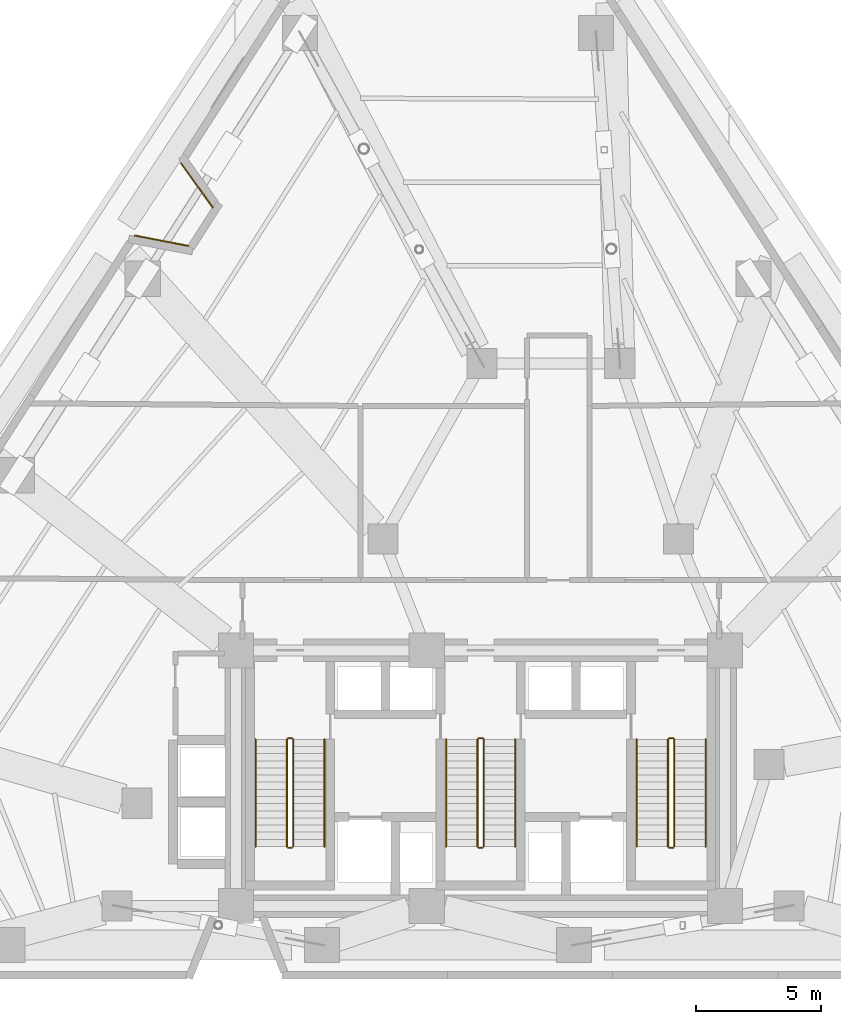
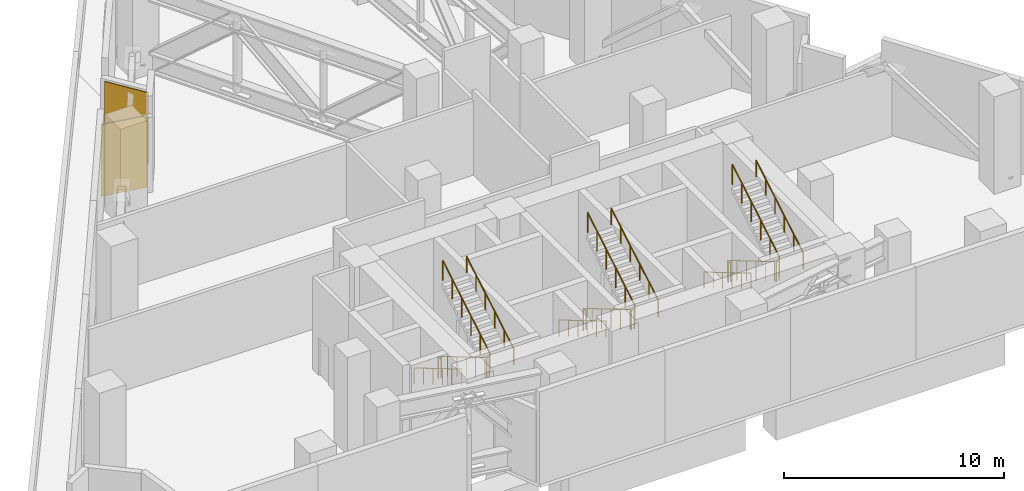
# One storey, part 11 of 12: 18 railings, 2 coverings.
"""IFC4 building model written with IfcOpenShell, lengths in metres."""

from ifc_helpers import new_model, si_unit, direction, frame, origin, origin_2d, place, context, subcontext, project, spatial, rectangle, circle, extrude, material, layer, layer_set, type_object, element, save


model = new_model("IFC4")

# Units and contexts
model_context = context("Model", 3, precision=1e-05, world=origin(), true_north=direction((0.0, 1.0)))
body_context = subcontext(model_context, "Body", "Model", "MODEL_VIEW")
ifc_project = project(units=[si_unit("LENGTHUNIT", "METRE"), si_unit("AREAUNIT", "SQUARE_METRE"), si_unit("VOLUMEUNIT", "CUBIC_METRE"), si_unit("PLANEANGLEUNIT", "RADIAN"), si_unit("MASSUNIT", "GRAM", prefix="KILO")], contexts=[model_context])

# Site, building, storey
site_placement = place(None, origin())
site = spatial("IfcSite", under=ifc_project, at=site_placement, CompositionType="ELEMENT")
building_placement = place(site_placement, origin())
building = spatial("IfcBuilding", under=site, at=building_placement, Name="Almagre Mirador Tower", CompositionType="ELEMENT")
storey_placement = place(building_placement, frame((0.0, 0.0, 26.39990234375)))
storey = spatial("IfcBuildingStorey", under=building, at=storey_placement, Name="L05", CompositionType="ELEMENT", Elevation=26.39990234375)

# Coverings
ifc_material_1 = material(Name="Almagre terracotta architectural cladding", Category="masonry")
ifc_layer = layer(ifc_material_1, 0.044921875)
ifc_layer_set = layer_set([ifc_layer], Name="Almagre terracotta architectural cladding")
covering_type = type_object("IfcCoveringType", Name="COV-CLAD-ALMAGRE", PredefinedType="CLADDING", material=ifc_layer_set)
for number, where, z_axis, x_axis, name in (
    (1, (24.56982421875, 31.08837890625, 0.10009765625), (0.0, 0.0, 1.0), (0.981760154029, -0.190123643878, 0.0), "L05 almagre terracotta pier cladding"),
    (2, (25.9853515625, 33.29833984375, 0.10009765625), (0.0, 0.0, 1.0), (-0.583002488864, 0.812470367446, 0.0), "L05 almagre terracotta pier cladding"),
):
    element("IfcCovering", number, at=place(storey_placement, frame(where, z_axis=z_axis, x_axis=x_axis)), inside=storey, type_object=covering_type, Name=name, PredefinedType="CLADDING", context=body_context, shape_type="SweptSolid", body=[
        extrude(rectangle(XDim=2.194091796875, YDim=0.044921875, at=origin_2d()), origin(), (0.0, 0.0, 1.0), 3.97509765625),
    ])

# Railings
ifc_material_2 = material(Name="Painted galvanized steel", Category="steel")
railing_type_1 = type_object("IfcRailingType", Name="RLG-GRD-1100", PredefinedType="GUARDRAIL", material=ifc_material_2)
railing_1_placement = place(storey_placement, frame((29.574951171875, 11.199951171875, 0.1689453125)))
element("IfcRailing", 3, at=railing_1_placement, inside=storey, type_object=railing_type_1, Name="L05 ST-1 stair guard 1", PredefinedType="GUARDRAIL", context=body_context, shape_type="SweptSolid", body=[
    extrude(circle(Radius=0.02392578125, at=origin_2d()), frame((0.0, 0.0, 1.09619140625), z_axis=(0.0, -0.860470286479, 0.509500624227), x_axis=(1.0, 0.0, 0.0)), (0.0, 0.0, 1.0), 4.968017578125),
    extrude(circle(Radius=0.02099609375, at=origin_2d()), origin(), (0.0, 0.0, 1.0), 1.072021484375),
    extrude(circle(Radius=0.02099609375, at=origin_2d()), frame((0.0, -0.85498046875, 0.50634765625)), (0.0, 0.0, 1.0), 1.072021484375),
    extrude(circle(Radius=0.02099609375, at=origin_2d()), frame((0.0, -1.7099609375, 1.012451171875)), (0.0, 0.0, 1.0), 1.072021484375),
    extrude(circle(Radius=0.02099609375, at=origin_2d()), frame((0.0, -2.56494140625, 1.518798828125)), (0.0, 0.0, 1.0), 1.072021484375),
    extrude(circle(Radius=0.02099609375, at=origin_2d()), frame((0.0, -3.419921875, 2.02490234375)), (0.0, 0.0, 1.0), 1.072021484375),
    extrude(circle(Radius=0.02099609375, at=origin_2d()), frame((0.0, -4.27490234375, 2.53125)), (0.0, 0.0, 1.0), 1.072021484375),
])
railing_2_placement = place(storey_placement, frame((29.625, 6.875, 2.7001953125)))
element("IfcRailing", 4, at=railing_2_placement, inside=storey, type_object=railing_type_1, Name="L05 ST-1 stair guard 2", PredefinedType="GUARDRAIL", context=body_context, shape_type="SweptSolid", body=[
    extrude(circle(Radius=0.02392578125, at=origin_2d()), frame((0.0, 0.0, 1.09619140625), z_axis=(1.0, 0.0, 0.0), x_axis=(0.0, 1.0, 0.0)), (0.0, 0.0, 1.0), 0.14990234375),
    extrude(circle(Radius=0.02099609375, at=origin_2d()), origin(), (0.0, 0.0, 1.0), 1.072021484375),
    extrude(circle(Radius=0.02099609375, at=origin_2d()), frame((0.14990234375, 0.0, 0.0)), (0.0, 0.0, 1.0), 1.072021484375),
])
railing_3_placement = place(storey_placement, frame((29.824951171875, 6.925048828125, 2.868896484375)))
element("IfcRailing", 5, at=railing_3_placement, inside=storey, type_object=railing_type_1, Name="L05 ST-1 stair guard 3", PredefinedType="GUARDRAIL", context=body_context, shape_type="SweptSolid", body=[
    extrude(circle(Radius=0.02392578125, at=origin_2d()), frame((0.0, 0.0, 1.09619140625), z_axis=(0.0, 0.860470286479, 0.509500624227), x_axis=(-1.0, 0.0, 0.0)), (0.0, 0.0, 1.0), 4.968017578125),
    extrude(circle(Radius=0.02099609375, at=origin_2d()), origin(), (0.0, 0.0, 1.0), 1.072021484375),
    extrude(circle(Radius=0.02099609375, at=origin_2d()), frame((0.0, 0.85498046875, 0.50634765625)), (0.0, 0.0, 1.0), 1.072021484375),
    extrude(circle(Radius=0.02099609375, at=origin_2d()), frame((0.0, 1.7099609375, 1.012451171875)), (0.0, 0.0, 1.0), 1.072021484375),
    extrude(circle(Radius=0.02099609375, at=origin_2d()), frame((0.0, 2.56494140625, 1.518798828125)), (0.0, 0.0, 1.0), 1.072021484375),
    extrude(circle(Radius=0.02099609375, at=origin_2d()), frame((0.0, 3.419921875, 2.02490234375)), (0.0, 0.0, 1.0), 1.072021484375),
    extrude(circle(Radius=0.02099609375, at=origin_2d()), frame((0.0, 4.27490234375, 2.53125)), (0.0, 0.0, 1.0), 1.072021484375),
])
railing_4_placement = place(storey_placement, frame((29.625, 11.25, 0.0)))
element("IfcRailing", 6, at=railing_4_placement, inside=storey, type_object=railing_type_1, Name="L05 ST-1 stair guard 4", PredefinedType="GUARDRAIL", context=body_context, shape_type="SweptSolid", body=[
    extrude(circle(Radius=0.02392578125, at=origin_2d()), frame((0.0, 0.0, 1.09619140625), z_axis=(1.0, 0.0, 0.0), x_axis=(0.0, 1.0, 0.0)), (0.0, 0.0, 1.0), 0.14990234375),
    extrude(circle(Radius=0.02099609375, at=origin_2d()), origin(), (0.0, 0.0, 1.0), 1.072021484375),
    extrude(circle(Radius=0.02099609375, at=origin_2d()), frame((0.14990234375, 0.0, 0.0)), (0.0, 0.0, 1.0), 1.072021484375),
])
railing_5_placement = place(storey_placement, frame((37.175048828125, 11.199951171875, 0.1689453125)))
element("IfcRailing", 7, at=railing_5_placement, inside=storey, type_object=railing_type_1, Name="L05 ST-2 stair guard 1", PredefinedType="GUARDRAIL", context=body_context, shape_type="SweptSolid", body=[
    extrude(circle(Radius=0.02392578125, at=origin_2d()), frame((0.0, 0.0, 1.09619140625), z_axis=(0.0, -0.860470286479, 0.509500624227), x_axis=(1.0, 0.0, 0.0)), (0.0, 0.0, 1.0), 4.968017578125),
    extrude(circle(Radius=0.02099609375, at=origin_2d()), origin(), (0.0, 0.0, 1.0), 1.072021484375),
    extrude(circle(Radius=0.02099609375, at=origin_2d()), frame((0.0, -0.85498046875, 0.50634765625)), (0.0, 0.0, 1.0), 1.072021484375),
    extrude(circle(Radius=0.02099609375, at=origin_2d()), frame((0.0, -1.7099609375, 1.012451171875)), (0.0, 0.0, 1.0), 1.072021484375),
    extrude(circle(Radius=0.02099609375, at=origin_2d()), frame((0.0, -2.56494140625, 1.518798828125)), (0.0, 0.0, 1.0), 1.072021484375),
    extrude(circle(Radius=0.02099609375, at=origin_2d()), frame((0.0, -3.419921875, 2.02490234375)), (0.0, 0.0, 1.0), 1.072021484375),
    extrude(circle(Radius=0.02099609375, at=origin_2d()), frame((0.0, -4.27490234375, 2.53125)), (0.0, 0.0, 1.0), 1.072021484375),
])
railing_6_placement = place(storey_placement, frame((37.22509765625, 6.875, 2.7001953125)))
element("IfcRailing", 8, at=railing_6_placement, inside=storey, type_object=railing_type_1, Name="L05 ST-2 stair guard 2", PredefinedType="GUARDRAIL", context=body_context, shape_type="SweptSolid", body=[
    extrude(circle(Radius=0.02392578125, at=origin_2d()), frame((0.0, 0.0, 1.09619140625), z_axis=(1.0, 0.0, 0.0), x_axis=(0.0, 1.0, 0.0)), (0.0, 0.0, 1.0), 0.14990234375),
    extrude(circle(Radius=0.02099609375, at=origin_2d()), origin(), (0.0, 0.0, 1.0), 1.072021484375),
    extrude(circle(Radius=0.02099609375, at=origin_2d()), frame((0.14990234375, 0.0, 0.0)), (0.0, 0.0, 1.0), 1.072021484375),
])
railing_7_placement = place(storey_placement, frame((37.425048828125, 6.925048828125, 2.868896484375)))
element("IfcRailing", 9, at=railing_7_placement, inside=storey, type_object=railing_type_1, Name="L05 ST-2 stair guard 3", PredefinedType="GUARDRAIL", context=body_context, shape_type="SweptSolid", body=[
    extrude(circle(Radius=0.02392578125, at=origin_2d()), frame((0.0, 0.0, 1.09619140625), z_axis=(0.0, 0.860470286479, 0.509500624227), x_axis=(-1.0, 0.0, 0.0)), (0.0, 0.0, 1.0), 4.968017578125),
    extrude(circle(Radius=0.02099609375, at=origin_2d()), origin(), (0.0, 0.0, 1.0), 1.072021484375),
    extrude(circle(Radius=0.02099609375, at=origin_2d()), frame((0.0, 0.85498046875, 0.50634765625)), (0.0, 0.0, 1.0), 1.072021484375),
    extrude(circle(Radius=0.02099609375, at=origin_2d()), frame((0.0, 1.7099609375, 1.012451171875)), (0.0, 0.0, 1.0), 1.072021484375),
    extrude(circle(Radius=0.02099609375, at=origin_2d()), frame((0.0, 2.56494140625, 1.518798828125)), (0.0, 0.0, 1.0), 1.072021484375),
    extrude(circle(Radius=0.02099609375, at=origin_2d()), frame((0.0, 3.419921875, 2.02490234375)), (0.0, 0.0, 1.0), 1.072021484375),
    extrude(circle(Radius=0.02099609375, at=origin_2d()), frame((0.0, 4.27490234375, 2.53125)), (0.0, 0.0, 1.0), 1.072021484375),
])
railing_8_placement = place(storey_placement, frame((37.22509765625, 11.25, 0.0)))
element("IfcRailing", 10, at=railing_8_placement, inside=storey, type_object=railing_type_1, Name="L05 ST-2 stair guard 4", PredefinedType="GUARDRAIL", context=body_context, shape_type="SweptSolid", body=[
    extrude(circle(Radius=0.02392578125, at=origin_2d()), frame((0.0, 0.0, 1.09619140625), z_axis=(1.0, 0.0, 0.0), x_axis=(0.0, 1.0, 0.0)), (0.0, 0.0, 1.0), 0.14990234375),
    extrude(circle(Radius=0.02099609375, at=origin_2d()), origin(), (0.0, 0.0, 1.0), 1.072021484375),
    extrude(circle(Radius=0.02099609375, at=origin_2d()), frame((0.14990234375, 0.0, 0.0)), (0.0, 0.0, 1.0), 1.072021484375),
])
railing_9_placement = place(storey_placement, frame((44.77490234375, 11.199951171875, 0.1689453125)))
element("IfcRailing", 11, at=railing_9_placement, inside=storey, type_object=railing_type_1, Name="L05 ST-3 stair guard 1", PredefinedType="GUARDRAIL", context=body_context, shape_type="SweptSolid", body=[
    extrude(circle(Radius=0.02392578125, at=origin_2d()), frame((0.0, 0.0, 1.09619140625), z_axis=(0.0, -0.860470286479, 0.509500624227), x_axis=(1.0, 0.0, 0.0)), (0.0, 0.0, 1.0), 4.968017578125),
    extrude(circle(Radius=0.02099609375, at=origin_2d()), origin(), (0.0, 0.0, 1.0), 1.072021484375),
    extrude(circle(Radius=0.02099609375, at=origin_2d()), frame((0.0, -0.85498046875, 0.50634765625)), (0.0, 0.0, 1.0), 1.072021484375),
    extrude(circle(Radius=0.02099609375, at=origin_2d()), frame((0.0, -1.7099609375, 1.012451171875)), (0.0, 0.0, 1.0), 1.072021484375),
    extrude(circle(Radius=0.02099609375, at=origin_2d()), frame((0.0, -2.56494140625, 1.518798828125)), (0.0, 0.0, 1.0), 1.072021484375),
    extrude(circle(Radius=0.02099609375, at=origin_2d()), frame((0.0, -3.419921875, 2.02490234375)), (0.0, 0.0, 1.0), 1.072021484375),
    extrude(circle(Radius=0.02099609375, at=origin_2d()), frame((0.0, -4.27490234375, 2.53125)), (0.0, 0.0, 1.0), 1.072021484375),
])
railing_10_placement = place(storey_placement, frame((44.824951171875, 6.875, 2.7001953125)))
element("IfcRailing", 12, at=railing_10_placement, inside=storey, type_object=railing_type_1, Name="L05 ST-3 stair guard 2", PredefinedType="GUARDRAIL", context=body_context, shape_type="SweptSolid", body=[
    extrude(circle(Radius=0.02392578125, at=origin_2d()), frame((0.0, 0.0, 1.09619140625), z_axis=(1.0, 0.0, 0.0), x_axis=(0.0, 1.0, 0.0)), (0.0, 0.0, 1.0), 0.150146484375),
    extrude(circle(Radius=0.02099609375, at=origin_2d()), origin(), (0.0, 0.0, 1.0), 1.072021484375),
    extrude(circle(Radius=0.02099609375, at=origin_2d()), frame((0.150146484375, 0.0, 0.0)), (0.0, 0.0, 1.0), 1.072021484375),
])
railing_11_placement = place(storey_placement, frame((45.02490234375, 6.925048828125, 2.868896484375)))
element("IfcRailing", 13, at=railing_11_placement, inside=storey, type_object=railing_type_1, Name="L05 ST-3 stair guard 3", PredefinedType="GUARDRAIL", context=body_context, shape_type="SweptSolid", body=[
    extrude(circle(Radius=0.02392578125, at=origin_2d()), frame((0.0, 0.0, 1.09619140625), z_axis=(0.0, 0.860470286479, 0.509500624227), x_axis=(-1.0, 0.0, 0.0)), (0.0, 0.0, 1.0), 4.968017578125),
    extrude(circle(Radius=0.02099609375, at=origin_2d()), origin(), (0.0, 0.0, 1.0), 1.072021484375),
    extrude(circle(Radius=0.02099609375, at=origin_2d()), frame((0.0, 0.85498046875, 0.50634765625)), (0.0, 0.0, 1.0), 1.072021484375),
    extrude(circle(Radius=0.02099609375, at=origin_2d()), frame((0.0, 1.7099609375, 1.012451171875)), (0.0, 0.0, 1.0), 1.072021484375),
    extrude(circle(Radius=0.02099609375, at=origin_2d()), frame((0.0, 2.56494140625, 1.518798828125)), (0.0, 0.0, 1.0), 1.072021484375),
    extrude(circle(Radius=0.02099609375, at=origin_2d()), frame((0.0, 3.419921875, 2.02490234375)), (0.0, 0.0, 1.0), 1.072021484375),
    extrude(circle(Radius=0.02099609375, at=origin_2d()), frame((0.0, 4.27490234375, 2.53125)), (0.0, 0.0, 1.0), 1.072021484375),
])
railing_12_placement = place(storey_placement, frame((44.824951171875, 11.25, 0.0)))
element("IfcRailing", 14, at=railing_12_placement, inside=storey, type_object=railing_type_1, Name="L05 ST-3 stair guard 4", PredefinedType="GUARDRAIL", context=body_context, shape_type="SweptSolid", body=[
    extrude(circle(Radius=0.02392578125, at=origin_2d()), frame((0.0, 0.0, 1.09619140625), z_axis=(1.0, 0.0, 0.0), x_axis=(0.0, 1.0, 0.0)), (0.0, 0.0, 1.0), 0.150146484375),
    extrude(circle(Radius=0.02099609375, at=origin_2d()), origin(), (0.0, 0.0, 1.0), 1.072021484375),
    extrude(circle(Radius=0.02099609375, at=origin_2d()), frame((0.150146484375, 0.0, 0.0)), (0.0, 0.0, 1.0), 1.072021484375),
])
ifc_material_3 = material(Name="Brushed stainless steel", Category="steel")
railing_type_2 = type_object("IfcRailingType", Name="RLG-HND-915", PredefinedType="HANDRAIL", material=ifc_material_3)
railing_13_placement = place(storey_placement, frame((28.324951171875, 11.199951171875, 0.1689453125)))
element("IfcRailing", 15, at=railing_13_placement, inside=storey, type_object=railing_type_2, Name="L05 ST-1 stair handrail 1", PredefinedType="HANDRAIL", context=body_context, shape_type="SweptSolid", body=[
    extrude(circle(Radius=0.02392578125, at=origin_2d()), frame((0.0, 0.0, 0.89111328125), z_axis=(0.0, -0.860470286479, 0.509500624227), x_axis=(1.0, 0.0, 0.0)), (0.0, 0.0, 1.0), 4.968017578125),
    extrude(circle(Radius=0.02099609375, at=origin_2d()), origin(), (0.0, 0.0, 1.0), 0.866943359375),
    extrude(circle(Radius=0.02099609375, at=origin_2d()), frame((0.0, -0.85498046875, 0.50634765625)), (0.0, 0.0, 1.0), 0.866943359375),
    extrude(circle(Radius=0.02099609375, at=origin_2d()), frame((0.0, -1.7099609375, 1.012451171875)), (0.0, 0.0, 1.0), 0.866943359375),
    extrude(circle(Radius=0.02099609375, at=origin_2d()), frame((0.0, -2.56494140625, 1.518798828125)), (0.0, 0.0, 1.0), 0.866943359375),
    extrude(circle(Radius=0.02099609375, at=origin_2d()), frame((0.0, -3.419921875, 2.02490234375)), (0.0, 0.0, 1.0), 0.866943359375),
    extrude(circle(Radius=0.02099609375, at=origin_2d()), frame((0.0, -4.27490234375, 2.53125)), (0.0, 0.0, 1.0), 0.866943359375),
])
railing_14_placement = place(storey_placement, frame((31.074951171875, 6.925048828125, 2.868896484375)))
element("IfcRailing", 16, at=railing_14_placement, inside=storey, type_object=railing_type_2, Name="L05 ST-1 stair handrail 2", PredefinedType="HANDRAIL", context=body_context, shape_type="SweptSolid", body=[
    extrude(circle(Radius=0.02392578125, at=origin_2d()), frame((0.0, 0.0, 0.89111328125), z_axis=(0.0, 0.860470286479, 0.509500624227), x_axis=(-1.0, 0.0, 0.0)), (0.0, 0.0, 1.0), 4.968017578125),
    extrude(circle(Radius=0.02099609375, at=origin_2d()), origin(), (0.0, 0.0, 1.0), 0.866943359375),
    extrude(circle(Radius=0.02099609375, at=origin_2d()), frame((0.0, 0.85498046875, 0.50634765625)), (0.0, 0.0, 1.0), 0.866943359375),
    extrude(circle(Radius=0.02099609375, at=origin_2d()), frame((0.0, 1.7099609375, 1.012451171875)), (0.0, 0.0, 1.0), 0.866943359375),
    extrude(circle(Radius=0.02099609375, at=origin_2d()), frame((0.0, 2.56494140625, 1.518798828125)), (0.0, 0.0, 1.0), 0.866943359375),
    extrude(circle(Radius=0.02099609375, at=origin_2d()), frame((0.0, 3.419921875, 2.02490234375)), (0.0, 0.0, 1.0), 0.866943359375),
    extrude(circle(Radius=0.02099609375, at=origin_2d()), frame((0.0, 4.27490234375, 2.53125)), (0.0, 0.0, 1.0), 0.866943359375),
])
railing_15_placement = place(storey_placement, frame((35.925048828125, 11.199951171875, 0.1689453125)))
element("IfcRailing", 17, at=railing_15_placement, inside=storey, type_object=railing_type_2, Name="L05 ST-2 stair handrail 1", PredefinedType="HANDRAIL", context=body_context, shape_type="SweptSolid", body=[
    extrude(circle(Radius=0.02392578125, at=origin_2d()), frame((0.0, 0.0, 0.89111328125), z_axis=(0.0, -0.860470286479, 0.509500624227), x_axis=(1.0, 0.0, 0.0)), (0.0, 0.0, 1.0), 4.968017578125),
    extrude(circle(Radius=0.02099609375, at=origin_2d()), origin(), (0.0, 0.0, 1.0), 0.866943359375),
    extrude(circle(Radius=0.02099609375, at=origin_2d()), frame((0.0, -0.85498046875, 0.50634765625)), (0.0, 0.0, 1.0), 0.866943359375),
    extrude(circle(Radius=0.02099609375, at=origin_2d()), frame((0.0, -1.7099609375, 1.012451171875)), (0.0, 0.0, 1.0), 0.866943359375),
    extrude(circle(Radius=0.02099609375, at=origin_2d()), frame((0.0, -2.56494140625, 1.518798828125)), (0.0, 0.0, 1.0), 0.866943359375),
    extrude(circle(Radius=0.02099609375, at=origin_2d()), frame((0.0, -3.419921875, 2.02490234375)), (0.0, 0.0, 1.0), 0.866943359375),
    extrude(circle(Radius=0.02099609375, at=origin_2d()), frame((0.0, -4.27490234375, 2.53125)), (0.0, 0.0, 1.0), 0.866943359375),
])
railing_16_placement = place(storey_placement, frame((38.675048828125, 6.925048828125, 2.868896484375)))
element("IfcRailing", 18, at=railing_16_placement, inside=storey, type_object=railing_type_2, Name="L05 ST-2 stair handrail 2", PredefinedType="HANDRAIL", context=body_context, shape_type="SweptSolid", body=[
    extrude(circle(Radius=0.02392578125, at=origin_2d()), frame((0.0, 0.0, 0.89111328125), z_axis=(0.0, 0.860470286479, 0.509500624227), x_axis=(-1.0, 0.0, 0.0)), (0.0, 0.0, 1.0), 4.968017578125),
    extrude(circle(Radius=0.02099609375, at=origin_2d()), origin(), (0.0, 0.0, 1.0), 0.866943359375),
    extrude(circle(Radius=0.02099609375, at=origin_2d()), frame((0.0, 0.85498046875, 0.50634765625)), (0.0, 0.0, 1.0), 0.866943359375),
    extrude(circle(Radius=0.02099609375, at=origin_2d()), frame((0.0, 1.7099609375, 1.012451171875)), (0.0, 0.0, 1.0), 0.866943359375),
    extrude(circle(Radius=0.02099609375, at=origin_2d()), frame((0.0, 2.56494140625, 1.518798828125)), (0.0, 0.0, 1.0), 0.866943359375),
    extrude(circle(Radius=0.02099609375, at=origin_2d()), frame((0.0, 3.419921875, 2.02490234375)), (0.0, 0.0, 1.0), 0.866943359375),
    extrude(circle(Radius=0.02099609375, at=origin_2d()), frame((0.0, 4.27490234375, 2.53125)), (0.0, 0.0, 1.0), 0.866943359375),
])
railing_17_placement = place(storey_placement, frame((43.52490234375, 11.199951171875, 0.1689453125)))
element("IfcRailing", 19, at=railing_17_placement, inside=storey, type_object=railing_type_2, Name="L05 ST-3 stair handrail 1", PredefinedType="HANDRAIL", context=body_context, shape_type="SweptSolid", body=[
    extrude(circle(Radius=0.02392578125, at=origin_2d()), frame((0.0, 0.0, 0.89111328125), z_axis=(0.0, -0.860470286479, 0.509500624227), x_axis=(1.0, 0.0, 0.0)), (0.0, 0.0, 1.0), 4.968017578125),
    extrude(circle(Radius=0.02099609375, at=origin_2d()), origin(), (0.0, 0.0, 1.0), 0.866943359375),
    extrude(circle(Radius=0.02099609375, at=origin_2d()), frame((0.0, -0.85498046875, 0.50634765625)), (0.0, 0.0, 1.0), 0.866943359375),
    extrude(circle(Radius=0.02099609375, at=origin_2d()), frame((0.0, -1.7099609375, 1.012451171875)), (0.0, 0.0, 1.0), 0.866943359375),
    extrude(circle(Radius=0.02099609375, at=origin_2d()), frame((0.0, -2.56494140625, 1.518798828125)), (0.0, 0.0, 1.0), 0.866943359375),
    extrude(circle(Radius=0.02099609375, at=origin_2d()), frame((0.0, -3.419921875, 2.02490234375)), (0.0, 0.0, 1.0), 0.866943359375),
    extrude(circle(Radius=0.02099609375, at=origin_2d()), frame((0.0, -4.27490234375, 2.53125)), (0.0, 0.0, 1.0), 0.866943359375),
])
railing_18_placement = place(storey_placement, frame((46.27490234375, 6.925048828125, 2.868896484375)))
element("IfcRailing", 20, at=railing_18_placement, inside=storey, type_object=railing_type_2, Name="L05 ST-3 stair handrail 2", PredefinedType="HANDRAIL", context=body_context, shape_type="SweptSolid", body=[
    extrude(circle(Radius=0.02392578125, at=origin_2d()), frame((0.0, 0.0, 0.89111328125), z_axis=(0.0, 0.860470286479, 0.509500624227), x_axis=(-1.0, 0.0, 0.0)), (0.0, 0.0, 1.0), 4.968017578125),
    extrude(circle(Radius=0.02099609375, at=origin_2d()), origin(), (0.0, 0.0, 1.0), 0.866943359375),
    extrude(circle(Radius=0.02099609375, at=origin_2d()), frame((0.0, 0.85498046875, 0.50634765625)), (0.0, 0.0, 1.0), 0.866943359375),
    extrude(circle(Radius=0.02099609375, at=origin_2d()), frame((0.0, 1.7099609375, 1.012451171875)), (0.0, 0.0, 1.0), 0.866943359375),
    extrude(circle(Radius=0.02099609375, at=origin_2d()), frame((0.0, 2.56494140625, 1.518798828125)), (0.0, 0.0, 1.0), 0.866943359375),
    extrude(circle(Radius=0.02099609375, at=origin_2d()), frame((0.0, 3.419921875, 2.02490234375)), (0.0, 0.0, 1.0), 0.866943359375),
    extrude(circle(Radius=0.02099609375, at=origin_2d()), frame((0.0, 4.27490234375, 2.53125)), (0.0, 0.0, 1.0), 0.866943359375),
])

save(model, "model.ifc")
